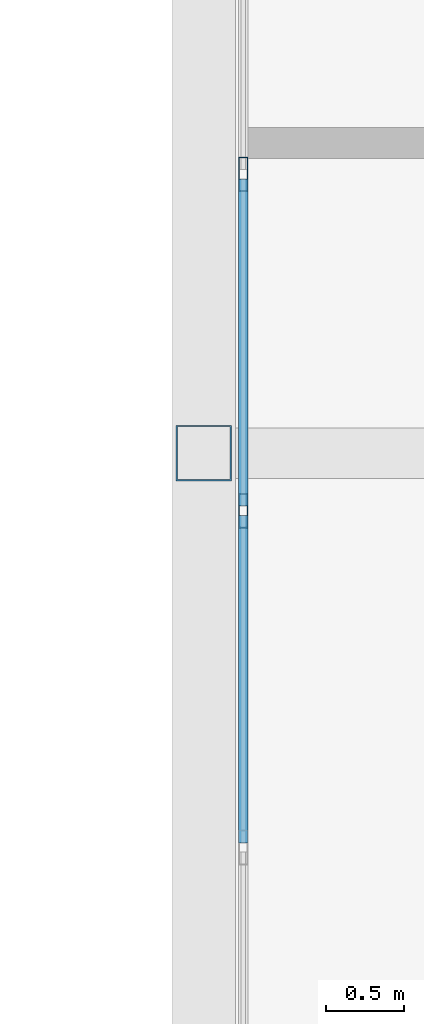
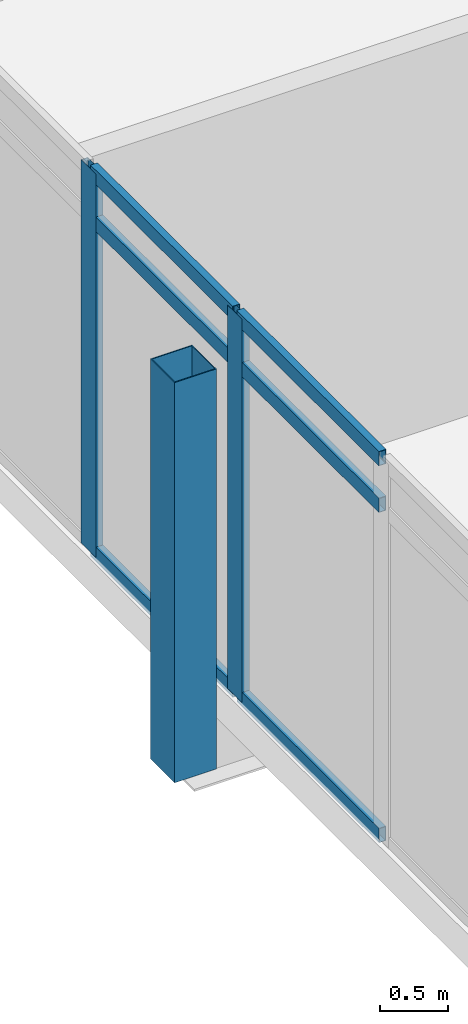
# One storey, part 17 of 34: 9 members, 1 element without a shape of its own.
"""IFC4 building model written with IfcOpenShell, lengths in metres."""

from ifc_helpers import new_model, si_unit, direction, frame, origin, origin_2d, place, context, subcontext, project, spatial, hollow_rectangle, extrude, material, material_profile, profile_set, type_object, element, aggregate, save


model = new_model("IFC4")

# Units and contexts
model_context = context("Model", 3, precision=1e-05, world=origin(), true_north=direction((0.0, 1.0)))
body_context = subcontext(model_context, "Body", "Model", "MODEL_VIEW")
ifc_project = project(units=[si_unit("LENGTHUNIT", "METRE"), si_unit("AREAUNIT", "SQUARE_METRE"), si_unit("VOLUMEUNIT", "CUBIC_METRE"), si_unit("PLANEANGLEUNIT", "RADIAN"), si_unit("MASSUNIT", "GRAM", prefix="KILO")], contexts=[model_context])

# Site, building, storey
site_placement = place(None, origin())
site = spatial("IfcSite", under=ifc_project, at=site_placement, CompositionType="ELEMENT")
building_placement = place(site_placement, origin())
building = spatial("IfcBuilding", under=site, at=building_placement, Name="Ostrander Bayou Hotel Tower", CompositionType="ELEMENT")
storey_placement = place(building_placement, frame((0.0, 0.0, 222.0)))
storey = spatial("IfcBuildingStorey", under=building, at=storey_placement, Name="L55", CompositionType="ELEMENT", Elevation=222.0)

# Curtain wall, members
ifc_material_1 = material(Name="Aluminium and clear glass", Category="aluminium")
curtain_wall_type = type_object("IfcCurtainWallType", Name="CW-BAR glazed wall", PredefinedType="NOTDEFINED", material=ifc_material_1)
curtain_wall_placement = place(storey_placement, origin())
curtain_wall = element("IfcCurtainWall", 1, at=curtain_wall_placement, inside=storey, type_object=curtain_wall_type, Name="CW-BAR L55:SB5N:E", PredefinedType="NOTDEFINED")
ifc_material_2 = material(Name="Aluminium", Category="aluminium")
ifc_material_profile_1 = material_profile(ifc_material_2, hollow_rectangle(XDim=0.06005859375, YDim=0.219970703125, WallThickness=0.00390625, at=origin_2d()))
ifc_profile_set_1 = profile_set([ifc_material_profile_1], Name="Aluminium")
member_type_1 = type_object("IfcMemberType", Name="CW-BR mullion 60 x 220 mm", PredefinedType="MULLION", material=ifc_profile_set_1)
member_1_placement = place(storey_placement, frame((-10.51220703125, 20.24365234375, 0.0), z_axis=(0.0, 0.0, 1.0), x_axis=(-1.0, 0.0, 0.0)))
member_1 = element("IfcMember", 2, at=member_1_placement, type_object=member_type_1, Name="CW-BAR mullion 6", PredefinedType="MULLION", context=body_context, shape_type="SweptSolid", body=[
    extrude(hollow_rectangle(XDim=0.06005859375, YDim=0.219970703125, WallThickness=0.00390625, at=origin_2d()), origin(), (0.0, 0.0, 1.0), 3.449951171875),
])
member_2_placement = place(storey_placement, frame((-10.51220703125, 22.3994140625, 0.0), z_axis=(0.0, 0.0, 1.0), x_axis=(-1.0, 0.0, 0.0)))
member_2 = element("IfcMember", 3, at=member_2_placement, type_object=member_type_1, Name="CW-BAR mullion 7", PredefinedType="MULLION", context=body_context, shape_type="SweptSolid", body=[
    extrude(hollow_rectangle(XDim=0.06005859375, YDim=0.219970703125, WallThickness=0.00390625, at=origin_2d()), origin(), (0.0, 0.0, 1.0), 3.449951171875),
])
ifc_material_3 = material(Name="Aluminium", Category="aluminium")
ifc_material_profile_2 = material_profile(ifc_material_3, hollow_rectangle(XDim=0.06005859375, YDim=0.1298828125, WallThickness=0.00390625, at=origin_2d()))
ifc_profile_set_2 = profile_set([ifc_material_profile_2], Name="Aluminium")
member_type_2 = type_object("IfcMemberType", Name="CW-BR transom 60 x 130 mm", PredefinedType="USERDEFINED", material=ifc_profile_set_2)
member_3_placement = place(storey_placement, frame((-10.51220703125, 18.117919921875, 0.030029296875), z_axis=(0.0, 1.0, 0.0), x_axis=(-1.0, 0.0, 0.0)))
member_3 = element("IfcMember", 4, at=member_3_placement, type_object=member_type_2, Name="CW-BAR transom 5.1", ObjectType="TRANSOM", PredefinedType="USERDEFINED", context=body_context, shape_type="SweptSolid", body=[
    extrude(hollow_rectangle(XDim=0.06005859375, YDim=0.1298828125, WallThickness=0.00390625, at=origin_2d()), origin(), (0.0, 0.0, 1.0), 2.095703125),
])
member_4_placement = place(storey_placement, frame((-10.51220703125, 18.117919921875, 3.0), z_axis=(0.0, 1.0, 0.0), x_axis=(-1.0, 0.0, 0.0)))
member_4 = element("IfcMember", 5, at=member_4_placement, type_object=member_type_2, Name="CW-BAR transom 5.2", ObjectType="TRANSOM", PredefinedType="USERDEFINED", context=body_context, shape_type="SweptSolid", body=[
    extrude(hollow_rectangle(XDim=0.06005859375, YDim=0.1298828125, WallThickness=0.00390625, at=origin_2d()), origin(), (0.0, 0.0, 1.0), 2.095703125),
])
member_5_placement = place(storey_placement, frame((-10.51220703125, 18.117919921875, 3.419921875), z_axis=(0.0, 1.0, 0.0), x_axis=(-1.0, 0.0, 0.0)))
member_5 = element("IfcMember", 6, at=member_5_placement, type_object=member_type_2, Name="CW-BAR transom 5.3", ObjectType="TRANSOM", PredefinedType="USERDEFINED", context=body_context, shape_type="SweptSolid", body=[
    extrude(hollow_rectangle(XDim=0.06005859375, YDim=0.1298828125, WallThickness=0.00390625, at=origin_2d()), origin(), (0.0, 0.0, 1.0), 2.095703125),
])
member_6_placement = place(storey_placement, frame((-10.51220703125, 20.273681640625, 0.030029296875), z_axis=(0.0, 1.0, 0.0), x_axis=(-1.0, 0.0, 0.0)))
member_6 = element("IfcMember", 7, at=member_6_placement, type_object=member_type_2, Name="CW-BAR transom 6.1", ObjectType="TRANSOM", PredefinedType="USERDEFINED", context=body_context, shape_type="SweptSolid", body=[
    extrude(hollow_rectangle(XDim=0.06005859375, YDim=0.1298828125, WallThickness=0.00390625, at=origin_2d()), origin(), (0.0, 0.0, 1.0), 2.095703125),
])
member_7_placement = place(storey_placement, frame((-10.51220703125, 20.273681640625, 3.0), z_axis=(0.0, 1.0, 0.0), x_axis=(-1.0, 0.0, 0.0)))
member_7 = element("IfcMember", 8, at=member_7_placement, type_object=member_type_2, Name="CW-BAR transom 6.2", ObjectType="TRANSOM", PredefinedType="USERDEFINED", context=body_context, shape_type="SweptSolid", body=[
    extrude(hollow_rectangle(XDim=0.06005859375, YDim=0.1298828125, WallThickness=0.00390625, at=origin_2d()), origin(), (0.0, 0.0, 1.0), 2.095703125),
])
member_8_placement = place(storey_placement, frame((-10.51220703125, 20.273681640625, 3.419921875), z_axis=(0.0, 1.0, 0.0), x_axis=(-1.0, 0.0, 0.0)))
member_8 = element("IfcMember", 9, at=member_8_placement, type_object=member_type_2, Name="CW-BAR transom 6.3", ObjectType="TRANSOM", PredefinedType="USERDEFINED", context=body_context, shape_type="SweptSolid", body=[
    extrude(hollow_rectangle(XDim=0.06005859375, YDim=0.1298828125, WallThickness=0.00390625, at=origin_2d()), origin(), (0.0, 0.0, 1.0), 2.095703125),
])
aggregate(curtain_wall, [member_1, member_2, member_3, member_4, member_5, member_6, member_7, member_8])

# Member
ifc_material_4 = material(Name="Steel ASTM A500 Gr C", Category="steel")
ifc_material_profile_3 = material_profile(ifc_material_4, hollow_rectangle(XDim=0.355712890625, YDim=0.355712890625, WallThickness=0.0087890625, at=origin_2d()))
ifc_profile_set_3 = profile_set([ifc_material_profile_3], Name="Steel ASTM A500 Gr C")
member_type_3 = type_object("IfcMemberType", Name="TH3 bar hanger HSS14x14x3/8", PredefinedType="POST", material=ifc_profile_set_3)
member_9_placement = place(storey_placement, frame((-10.764892578125, 20.6142578125, -0.760986328125), z_axis=(0.0, 0.0, 1.0), x_axis=(1.0, 0.0, 0.0)))
element("IfcMember", 10, at=member_9_placement, inside=storey, type_object=member_type_3, Name="TH3 SB5WA H3-1", PredefinedType="POST", context=body_context, shape_type="SweptSolid", body=[
    extrude(hollow_rectangle(XDim=0.355712890625, YDim=0.355712890625, WallThickness=0.0087890625, at=origin_2d()), origin(), (0.0, 0.0, 1.0), 3.599853515625),
])

save(model, "model.ifc")
